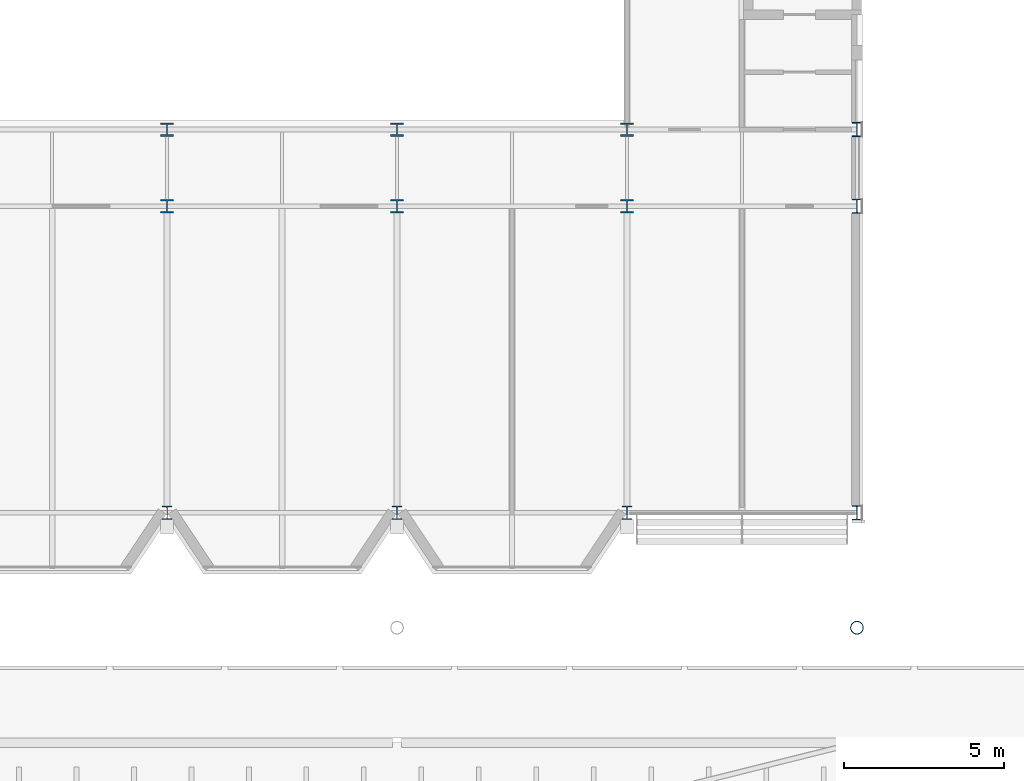
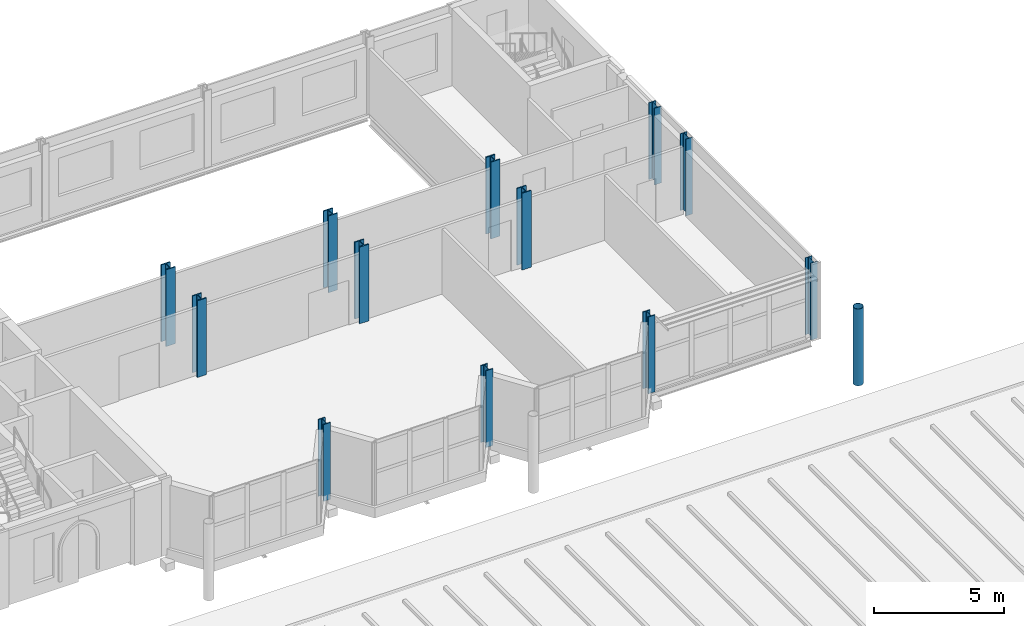
# One storey, part 8 of 120: 13 columns.
"""IFC4 building model written with IfcOpenShell, lengths in metres."""

import ifcopenshell
import ifcopenshell.guid

model = None  # the IFC model being written
_history = None  # IfcOwnerHistory: only IFC2X3 demands one
_inside = {}  # id of a spatial element -> (the spatial element, [elements in it])
_under = {}  # id of a project, library or spatial element -> (it, [spatial elements below it])
_declared = {}  # id of a project -> (the project, [libraries it declares])
_typed = {}  # id of a type object -> (the type object, [elements of that type])
_made_of = {}  # id of a material, layer set ... -> (it, [elements and type objects made of it])


def new_model(schema):
    """Start an empty IFC model of exactly this schema.

    Asked for "IFC4X3", IfcOpenShell would pick the latest addendum, in which some entities
    have other attributes; the version numbers below select the first issue.
    IFC2X3 requires an IfcOwnerHistory on every rooted entity: one is made here for all.
    """
    global model, _history
    if schema == "IFC4X3":
        model = ifcopenshell.file(schema_version=(4, 3, 0, 0))
    else:
        model = ifcopenshell.file(schema=schema)
    _inside.clear()
    _under.clear()
    _declared.clear()
    _typed.clear()
    _made_of.clear()
    _history = None
    if model.schema == "IFC2X3":
        org = make("IfcOrganization", Name="unknown")
        user = make(
            "IfcPersonAndOrganization",
            ThePerson=make("IfcPerson", FamilyName="unknown"),
            TheOrganization=org,
        )
        app = make(
            "IfcApplication",
            ApplicationDeveloper=org,
            Version="unknown",
            ApplicationFullName="unknown",
            ApplicationIdentifier="unknown",
        )
        _history = make(
            "IfcOwnerHistory",
            OwningUser=user,
            OwningApplication=app,
            ChangeAction="ADDED",
            CreationDate=0,
        )
    return model


def make(cls, **values):
    """One entity of the class cls with the attributes given. An attribute that is None is left unset."""
    return model.create_entity(
        cls, **{name: value for name, value in values.items() if value is not None}
    )


def rooted(cls, **values):
    """An entity with a GlobalId (a new one), such as an element, a storey or a relation."""
    return make(cls, GlobalId=ifcopenshell.guid.new(), OwnerHistory=_history, **values)


def si_unit(unit_type, name, prefix=None):
    """IfcSIUnit, for example si_unit("LENGTHUNIT", "METRE", prefix="MILLI")."""
    return make("IfcSIUnit", UnitType=unit_type, Prefix=prefix, Name=name)


def assignment(units):
    """IfcUnitAssignment: the units of a project."""
    return None if units is None else make("IfcUnitAssignment", Units=units)


def point(xyz):
    """IfcCartesianPoint."""
    return None if xyz is None else make("IfcCartesianPoint", Coordinates=xyz)


def direction(xyz):
    """IfcDirection."""
    return None if xyz is None else make("IfcDirection", DirectionRatios=xyz)


def frame(location, z_axis=None, x_axis=None):
    """IfcAxis2Placement3D, a coordinate frame: its origin and axes. An axis left out is left unset."""
    return make(
        "IfcAxis2Placement3D",
        Location=point(location),
        Axis=direction(z_axis),
        RefDirection=direction(x_axis),
    )


def frame_2d(location, x_axis=None):
    """IfcAxis2Placement2D, a coordinate frame in the plane: its origin and x axis."""
    return make(
        "IfcAxis2Placement2D", Location=point(location), RefDirection=direction(x_axis)
    )


def origin():
    """The frame at (0, 0, 0) with its axes left unset."""
    return frame((0.0, 0.0, 0.0))


def origin_2d():
    """The frame at (0, 0) in the plane with its x axis left unset."""
    return frame_2d((0.0, 0.0))


def place(relative_to, where):
    """IfcLocalPlacement: puts the frame where relative to a parent placement (None: the world)."""
    return make(
        "IfcLocalPlacement", PlacementRelTo=relative_to, RelativePlacement=where
    )


def context(
    kind, dimensions, precision=None, world=None, true_north=None, identifier=None
):
    """IfcGeometricRepresentationContext, for example the 3D "Model" context."""
    return make(
        "IfcGeometricRepresentationContext",
        ContextIdentifier=identifier,
        ContextType=kind,
        CoordinateSpaceDimension=dimensions,
        Precision=precision,
        WorldCoordinateSystem=world,
        TrueNorth=true_north,
    )


def subcontext(parent, identifier, kind, view, scale=None):
    """IfcGeometricRepresentationSubContext, for example "Body" below "Model"."""
    return make(
        "IfcGeometricRepresentationSubContext",
        ContextIdentifier=identifier,
        ContextType=kind,
        ParentContext=parent,
        TargetScale=scale,
        TargetView=view,
    )


def project(units=None, contexts=None):
    """IfcProject with its units and contexts."""
    return rooted(
        "IfcProject",
        Name="project",
        RepresentationContexts=contexts,
        UnitsInContext=assignment(units),
    )


def spatial(cls, under=None, at=None, **own):
    """A site, building, storey or space (cls), placed at a placement, below another one or the project."""
    s = rooted(cls, ObjectPlacement=at, **own)
    if under is not None:
        _under.setdefault(under.id(), (under, []))[1].append(s)
    return s


def profile(cls, at=None, kind="AREA", **sizes):
    """A parametric profile (cls). Its sizes go by their IFC names, for example OverallWidth=200.0."""
    return make(cls, ProfileType=kind, Position=at, **sizes)


def hollow_circle(**sizes):
    """IfcCircleHollowProfileDef."""
    return profile("IfcCircleHollowProfileDef", **sizes)


def i_section(**sizes):
    """IfcIShapeProfileDef."""
    return profile("IfcIShapeProfileDef", **sizes)


def extrude(swept, where, along, depth):
    """IfcExtrudedAreaSolid: the profile swept, set in the frame where, extruded along a direction by depth."""
    return make(
        "IfcExtrudedAreaSolid",
        SweptArea=swept,
        Position=where,
        ExtrudedDirection=direction(along),
        Depth=depth,
    )


def shape(context_of_items, identifier, shape_type, items):
    """IfcShapeRepresentation: the items that make up one representation, for example the "Body"."""
    return make(
        "IfcShapeRepresentation",
        ContextOfItems=context_of_items,
        RepresentationIdentifier=identifier,
        RepresentationType=shape_type,
        Items=items,
    )


def material(Name=None, Category=None):
    """IfcMaterial."""
    return make("IfcMaterial", Name=Name, Category=Category)


def material_profile(
    of_material, cross_section, Name=None, Category=None, Priority=None
):
    """IfcMaterialProfile: a cross section and its material."""
    return make(
        "IfcMaterialProfile",
        Name=Name,
        Material=of_material,
        Profile=cross_section,
        Priority=Priority,
        Category=Category,
    )


def profile_set(profiles, Name=None, composite=None):
    """IfcMaterialProfileSet."""
    return make(
        "IfcMaterialProfileSet",
        Name=Name,
        MaterialProfiles=profiles,
        CompositeProfile=composite,
    )


def made_of(thing, what):
    """Note that an element or type object is made of a material, layer set ...; save() writes the relation."""
    if what is not None:
        _made_of.setdefault(what.id(), (what, []))[1].append(thing)
    return thing


def type_object(cls, material=None, **own):
    """A type object (cls), such as IfcWallType, which elements share."""
    return made_of(rooted(cls, **own), material)


def element(
    cls,
    number,
    at=None,
    inside=None,
    cuts=None,
    type_object=None,
    material=None,
    context=None,
    identifier="Body",
    shape_type=None,
    held_by="IfcProductDefinitionShape",
    body=None,
    shapes=None,
    **own,
):
    """One element of the class cls, such as IfcWall. Its Tag is "e" and its number.

    at: its placement. inside: the storey or other place that contains it. cuts: it is an
    opening in that element (IfcRelVoidsElement). A single representation is given by context,
    identifier, shape_type and body (its items); several are given by shapes. held_by: the class
    of the entity that holds the representations. save() writes the other relations.
    """
    e = rooted(cls, Tag="e%d" % number, ObjectPlacement=at, **own)
    if body is not None:
        shapes = [shape(context, identifier, shape_type, body)]
    if shapes is not None:
        e.Representation = make(held_by, Representations=shapes)
    if inside is not None:
        _inside.setdefault(inside.id(), (inside, []))[1].append(e)
    if cuts is not None:
        rooted(
            "IfcRelVoidsElement", RelatingBuildingElement=cuts, RelatedOpeningElement=e
        )
    if type_object is not None:
        _typed.setdefault(type_object.id(), (type_object, []))[1].append(e)
    return made_of(e, material)


def aggregate(whole, parts):
    """IfcRelAggregates: a whole, such as a stair, and the parts it consists of."""
    return rooted("IfcRelAggregates", RelatingObject=whole, RelatedObjects=parts)


def save(model, path):
    """Write the relations noted so far, then the file.

    IfcRelAggregates (storeys below a building ...), IfcRelContainedInSpatialStructure (elements
    in a storey), IfcRelDefinesByType, IfcRelAssociatesMaterial and IfcRelDeclares: one each for
    every whole, place, type object, material and project.
    """
    for whole, parts in _under.values():
        aggregate(whole, parts)
    for where, things in _inside.values():
        rooted(
            "IfcRelContainedInSpatialStructure",
            RelatedElements=things,
            RelatingStructure=where,
        )
    for kind, things in _typed.values():
        rooted("IfcRelDefinesByType", RelatedObjects=things, RelatingType=kind)
    for what, things in _made_of.values():
        rooted("IfcRelAssociatesMaterial", RelatedObjects=things, RelatingMaterial=what)
    for by, libraries in _declared.values():
        rooted("IfcRelDeclares", RelatingContext=by, RelatedDefinitions=libraries)
    model.write(path)


model = new_model("IFC4")

# Units and contexts
model_context = context("Model", 3, precision=1e-05, world=origin(), true_north=direction((0.0, 1.0)))
body_context = subcontext(model_context, "Body", "Model", "MODEL_VIEW")
ifc_project = project(units=[si_unit("LENGTHUNIT", "METRE"), si_unit("AREAUNIT", "SQUARE_METRE"), si_unit("VOLUMEUNIT", "CUBIC_METRE"), si_unit("PLANEANGLEUNIT", "RADIAN"), si_unit("MASSUNIT", "GRAM", prefix="KILO")], contexts=[model_context])

# Site, building, storey
site_placement = place(None, origin())
site = spatial("IfcSite", under=ifc_project, at=site_placement, CompositionType="ELEMENT")
building_placement = place(site_placement, origin())
building = spatial("IfcBuilding", under=site, at=building_placement, Name="Kupolbacken Congress Centre", CompositionType="ELEMENT")
storey_placement = place(building_placement, frame((0.0, 0.0, 21.60009765625)))
storey = spatial("IfcBuildingStorey", under=building, at=storey_placement, Name="L06", CompositionType="ELEMENT", Elevation=21.60009765625)

# Columns
ifc_material_1 = material(Name="Steel S355", Category="steel")
ifc_material_profile_1 = material_profile(ifc_material_1, i_section(OverallWidth=0.408935546875, OverallDepth=0.425048828125, WebThickness=0.03271484375, FlangeThickness=0.052490234375, FilletRadius=0.014892578125, at=origin_2d()), Name="HD 400 x 421")
ifc_profile_set_1 = profile_set([ifc_material_profile_1], Name="Steel S355")
column_type_1 = type_object("IfcColumnType", Name="C01 column HD 400 x 421", PredefinedType="COLUMN", material=ifc_profile_set_1)
for number, where, z_axis, x_axis, name in (
    (1, (115.199951171875, 132.0, 0.0), (0.0, 0.0, 1.0), (1.0, 0.0, 0.0), "S/col/C-T-17U+2400/L06"),
    (2, (115.199951171875, 134.39990234375, 0.0), (0.0, 0.0, 1.0), (1.0, 0.0, 0.0), "S/col/C-T-17U+4800/L06"),
    (3, (122.39990234375, 132.0, 0.0), (0.0, 0.0, 1.0), (1.0, 0.0, 0.0), "S/col/C-T-18U+2400/L06"),
    (4, (122.39990234375, 134.39990234375, 0.0), (0.0, 0.0, 1.0), (1.0, 0.0, 0.0), "S/col/C-T-18U+4800/L06"),
    (5, (129.60009765625, 132.0, 0.0), (0.0, 0.0, 1.0), (1.0, 0.0, 0.0), "S/col/C-T-19U+2400/L06"),
    (6, (129.60009765625, 134.39990234375, 0.0), (0.0, 0.0, 1.0), (1.0, 0.0, 0.0), "S/col/C-T-19U+4800/L06"),
):
    element("IfcColumn", number, at=place(storey_placement, frame(where, z_axis=z_axis, x_axis=x_axis)), inside=storey, type_object=column_type_1, Name=name, PredefinedType="COLUMN", context=body_context, shape_type="SweptSolid", body=[
        extrude(i_section(OverallWidth=0.408935546875, OverallDepth=0.425048828125, WebThickness=0.03271484375, FlangeThickness=0.052490234375, FilletRadius=0.014892578125, at=origin_2d()), origin(), (0.0, 0.0, 1.0), 3.599853515625),
    ])
ifc_material_2 = material(Name="Steel S355", Category="steel")
ifc_material_profile_2 = material_profile(ifc_material_2, i_section(OverallWidth=0.306884765625, OverallDepth=0.431884765625, WebThickness=0.02099609375, FlangeThickness=0.0400390625, FilletRadius=0.027099609375, at=origin_2d()), Name="HEM 400")
ifc_profile_set_2 = profile_set([ifc_material_profile_2], Name="Steel S355")
column_type_2 = type_object("IfcColumnType", Name="C02 column HEM 400", PredefinedType="COLUMN", material=ifc_profile_set_2)
for number, where, z_axis, x_axis, name in (
    (7, (115.199951171875, 122.39990234375, 0.0), (0.0, 0.0, 1.0), (1.0, 0.0, 0.0), "S/col/C-T-17T/L06"),
    (8, (122.39990234375, 122.39990234375, 0.0), (0.0, 0.0, 1.0), (1.0, 0.0, 0.0), "S/col/C-T-18T/L06"),
    (9, (129.60009765625, 122.39990234375, 0.0), (0.0, 0.0, 1.0), (1.0, 0.0, 0.0), "S/col/C-T-19T/L06"),
):
    element("IfcColumn", number, at=place(storey_placement, frame(where, z_axis=z_axis, x_axis=x_axis)), inside=storey, type_object=column_type_2, Name=name, PredefinedType="COLUMN", context=body_context, shape_type="SweptSolid", body=[
        extrude(i_section(OverallWidth=0.306884765625, OverallDepth=0.431884765625, WebThickness=0.02099609375, FlangeThickness=0.0400390625, FilletRadius=0.027099609375, at=origin_2d()), origin(), (0.0, 0.0, 1.0), 3.599853515625),
    ])
ifc_material_3 = material(Name="Steel S355", Category="steel")
ifc_material_profile_3 = material_profile(ifc_material_3, i_section(OverallWidth=0.300048828125, OverallDepth=0.449951171875, WebThickness=0.013916015625, FlangeThickness=0.02587890625, FilletRadius=0.027099609375, at=origin_2d()), Name="HEB 450")
ifc_profile_set_3 = profile_set([ifc_material_profile_3], Name="Steel S355")
column_type_3 = type_object("IfcColumnType", Name="C03 column HEB 450", PredefinedType="COLUMN", material=ifc_profile_set_3)
for number, where, z_axis, x_axis, name in (
    (10, (136.800048828125, 122.39990234375, 0.0), (0.0, 0.0, 1.0), (1.0, 0.0, 0.0), "S/col/C-T-20T/L06"),
    (11, (136.800048828125, 132.0, 0.0), (0.0, 0.0, 1.0), (1.0, 0.0, 0.0), "S/col/C-T-20U+2400/L06"),
    (12, (136.800048828125, 134.39990234375, 0.0), (0.0, 0.0, 1.0), (1.0, 0.0, 0.0), "S/col/C-T-20U+4800/L06"),
):
    element("IfcColumn", number, at=place(storey_placement, frame(where, z_axis=z_axis, x_axis=x_axis)), inside=storey, type_object=column_type_3, Name=name, PredefinedType="COLUMN", context=body_context, shape_type="SweptSolid", body=[
        extrude(i_section(OverallWidth=0.300048828125, OverallDepth=0.449951171875, WebThickness=0.013916015625, FlangeThickness=0.02587890625, FilletRadius=0.027099609375, at=origin_2d()), origin(), (0.0, 0.0, 1.0), 3.599853515625),
    ])
ifc_material_4 = material(Name="Steel S355", Category="steel")
ifc_material_profile_4 = material_profile(ifc_material_4, hollow_circle(Radius=0.203125, WallThickness=0.01611328125, at=origin_2d()), Name="CHS 406.4 x 16")
ifc_profile_set_4 = profile_set([ifc_material_profile_4], Name="Steel S355")
column_type_4 = type_object("IfcColumnType", Name="C15 roof mast CHS 406.4 x 16", PredefinedType="COLUMN", material=ifc_profile_set_4)
column_placement = place(storey_placement, frame((136.800048828125, 118.800048828125, 0.0), z_axis=(0.0, 0.0, 1.0), x_axis=(1.0, 0.0, 0.0)))
element("IfcColumn", 13, at=column_placement, inside=storey, type_object=column_type_4, Name="Roof mast M4N", PredefinedType="COLUMN", context=body_context, shape_type="SweptSolid", body=[
    extrude(hollow_circle(Radius=0.203125, WallThickness=0.01611328125, at=origin_2d()), origin(), (0.0, 0.0, 1.0), 3.599853515625),
])

save(model, "model.ifc")
